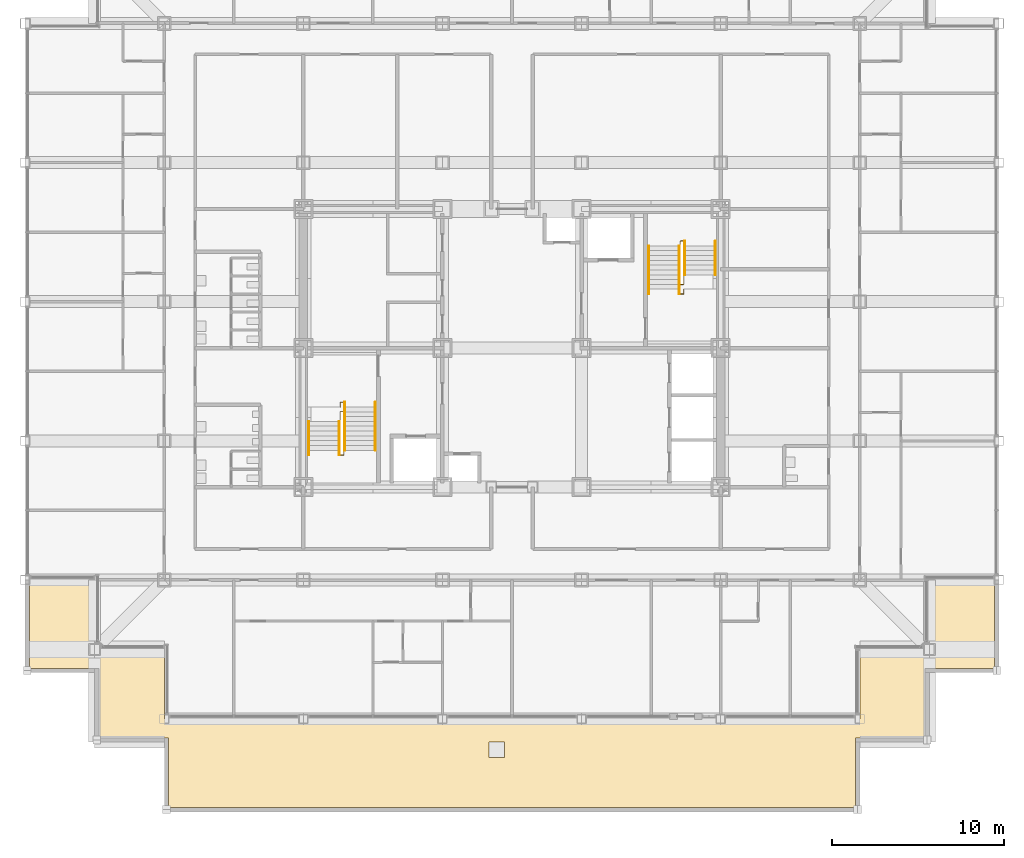
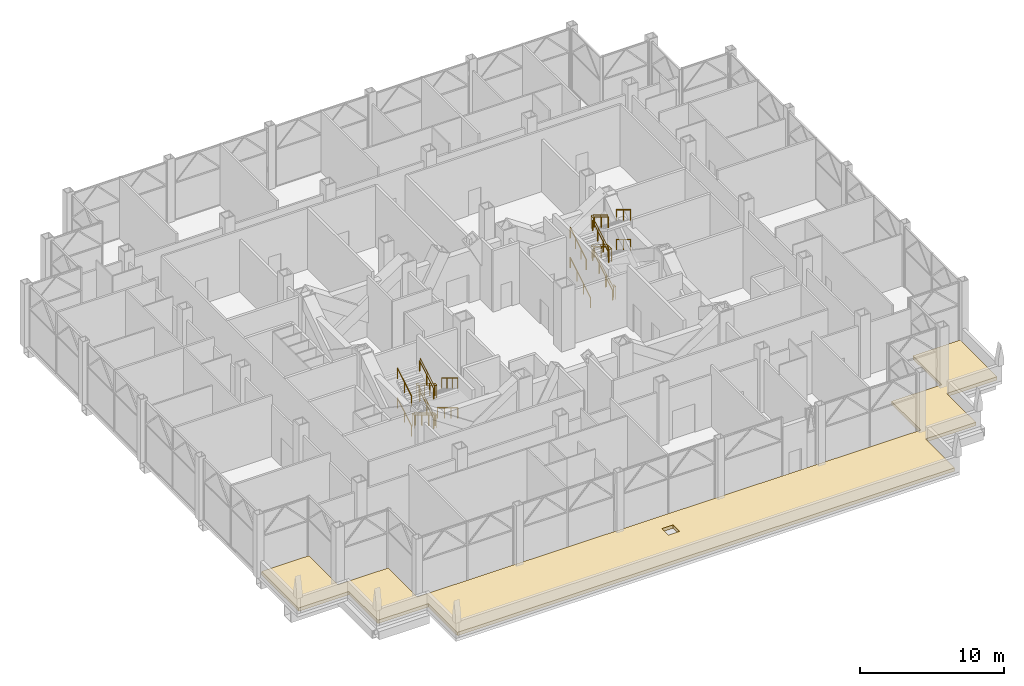
# One storey, part 28 of 29: 18 railings, 1 covering.
"""IFC4 building model written with IfcOpenShell, lengths in metres."""

from ifc_helpers import new_model, si_unit, direction, frame, origin, origin_2d, place, context, subcontext, project, spatial, polyline, circle, outline, extrude, material, layer, layer_set, type_object, element, save


model = new_model("IFC4")

# Units and contexts
model_context = context("Model", 3, precision=1e-05, world=origin(), true_north=direction((0.0, 1.0)))
body_context = subcontext(model_context, "Body", "Model", "MODEL_VIEW")
ifc_project = project(units=[si_unit("LENGTHUNIT", "METRE"), si_unit("AREAUNIT", "SQUARE_METRE"), si_unit("VOLUMEUNIT", "CUBIC_METRE"), si_unit("PLANEANGLEUNIT", "RADIAN"), si_unit("MASSUNIT", "GRAM", prefix="KILO")], contexts=[model_context])

# Site, building, storey
site_placement = place(None, origin())
site = spatial("IfcSite", under=ifc_project, at=site_placement, CompositionType="ELEMENT")
building_placement = place(site_placement, origin())
building = spatial("IfcBuilding", under=site, at=building_placement, Name="Kopane Lantern Tower", CompositionType="ELEMENT")
storey_placement = place(building_placement, frame((0.0, 0.0, 165.0)))
storey = spatial("IfcBuildingStorey", under=building, at=storey_placement, Name="L42", CompositionType="ELEMENT", Elevation=165.0)

# Covering
ifc_material_1 = material(Name="Bitumen membrane and extruded polystyrene insulation", Category="bitumen")
ifc_layer = layer(ifc_material_1, 0.280029296875)
ifc_layer_set = layer_set([ifc_layer], Name="ROOF FINISH RF1 INVERTED 280")
covering_type = type_object("IfcCoveringType", Name="ROOF FINISH RF1 INVERTED 280", PredefinedType="ROOFING", material=ifc_layer_set)
covering_placement = place(storey_placement, origin())
element("IfcCovering", 1, at=covering_placement, inside=storey, type_object=covering_type, Name="Roof finish L42", PredefinedType="ROOFING", context=body_context, shape_type="SweptSolid", body=[
    extrude(outline(polyline([(4.050048828125, 18.89990234375), (0.25, 18.89990234375), (0.25, 13.75), (4.300048828125, 13.75), (4.300048828125, 9.699951171875), (8.35009765625, 9.699951171875), (8.35009765625, 5.64990234375), (48.35009765625, 5.64990234375), (48.35009765625, 9.699951171875), (52.39990234375, 9.699951171875), (52.39990234375, 13.75), (56.449951171875, 13.75), (56.449951171875, 18.89990234375), (52.64990234375, 18.89990234375), (52.64990234375, 14.85009765625), (48.60009765625, 14.85009765625), (48.60009765625, 10.800048828125), (8.10009765625, 10.800048828125), (8.10009765625, 14.85009765625), (4.050048828125, 14.85009765625), (4.050048828125, 18.89990234375)]), holes=[polyline([(27.89990234375, 9.449951171875), (27.89990234375, 8.550048828125), (27.0, 8.550048828125), (27.0, 9.449951171875), (27.89990234375, 9.449951171875)])]), origin(), (0.0, 0.0, 1.0), 0.280029296875),
])

# Railings
ifc_material_2 = material(Name="Steel", Category="steel")
railing_type_1 = type_object("IfcRailingType", Name="STAIR GUARD 1100", PredefinedType="GUARDRAIL", material=ifc_material_2)
railing_1_placement = place(storey_placement, frame((18.35009765625, 28.969970703125, 0.0)))
element("IfcRailing", 2, at=railing_1_placement, inside=storey, type_object=railing_type_1, Name="ST1 well guard L42", PredefinedType="GUARDRAIL", context=body_context, shape_type="SweptSolid", body=[
    extrude(circle(Radius=0.02392578125, at=origin_2d()), frame((0.0, 0.0, 1.076171875), z_axis=(0.0, 1.0, 0.0), x_axis=(-1.0, 0.0, 0.0)), (0.0, 0.0, 1.0), 0.280029296875),
    extrude(circle(Radius=0.02392578125, at=origin_2d()), frame((0.0, 0.280029296875, 1.076171875), z_axis=(1.0, 0.0, 0.0), x_axis=(0.0, 1.0, 0.0)), (0.0, 0.0, 1.0), 0.199951171875),
    extrude(circle(Radius=0.02392578125, at=origin_2d()), frame((0.199951171875, 0.280029296875, 1.076171875), z_axis=(0.0, -0.856483125134, 0.51617502493), x_axis=(1.0, 0.0, 0.0)), (0.0, 0.0, 1.0), 3.269287109375),
    extrude(circle(Radius=0.02392578125, at=origin_2d()), frame((0.199951171875, -2.52001953125, 2.763671875), z_axis=(0.0, -1.0, 0.0), x_axis=(1.0, 0.0, 0.0)), (0.0, 0.0, 1.0), 0.280029296875),
    extrude(circle(Radius=0.02392578125, at=origin_2d()), frame((0.199951171875, -2.800048828125, 2.763671875), z_axis=(-1.0, 0.0, 0.0), x_axis=(0.0, -1.0, 0.0)), (0.0, 0.0, 1.0), 0.199951171875),
    extrude(circle(Radius=0.02392578125, at=origin_2d()), frame((0.0, -2.800048828125, 2.763671875), z_axis=(0.0, 0.856446297458, 0.516236127728), x_axis=(-1.0, 0.0, 0.0)), (0.0, 0.0, 1.0), 2.28857421875),
    extrude(circle(Radius=0.02392578125, at=origin_2d()), frame((0.0, -0.840087890625, 3.94482421875), z_axis=(0.0, 1.0, 0.0), x_axis=(-1.0, 0.0, 0.0)), (0.0, 0.0, 1.0), 0.56005859375),
    extrude(circle(Radius=0.02392578125, at=origin_2d()), frame((0.0, -0.280029296875, 3.94482421875), z_axis=(1.0, 0.0, 0.0), x_axis=(0.0, 1.0, 0.0)), (0.0, 0.0, 1.0), 0.199951171875),
    extrude(circle(Radius=0.02392578125, at=origin_2d()), frame((0.199951171875, -0.280029296875, 3.94482421875), z_axis=(0.0, -0.856502912269, 0.516142190947), x_axis=(1.0, 0.0, 0.0)), (0.0, 0.0, 1.0), 2.615234375),
    extrude(circle(Radius=0.02392578125, at=origin_2d()), frame((0.199951171875, -2.52001953125, 5.294921875), z_axis=(0.0, -1.0, 0.0), x_axis=(1.0, 0.0, 0.0)), (0.0, 0.0, 1.0), 0.280029296875),
    extrude(circle(Radius=0.02392578125, at=origin_2d()), frame((0.199951171875, -2.800048828125, 5.294921875), z_axis=(-1.0, 0.0, 0.0), x_axis=(0.0, -1.0, 0.0)), (0.0, 0.0, 1.0), 0.199951171875),
    extrude(circle(Radius=0.02392578125, at=origin_2d()), frame((0.0, -2.800048828125, 5.294921875), z_axis=(0.0, 0.856493463811, 0.516157869696), x_axis=(-1.0, 0.0, 0.0)), (0.0, 0.0, 1.0), 2.288330078125),
    extrude(circle(Radius=0.02099609375, at=origin_2d()), origin(), (0.0, 0.0, 1.0), 1.052001953125),
    extrude(circle(Radius=0.02099609375, at=origin_2d()), frame((0.0, 0.280029296875, 0.0)), (0.0, 0.0, 1.0), 1.052001953125),
    extrude(circle(Radius=0.02099609375, at=origin_2d()), frame((0.199951171875, 0.280029296875, 0.0)), (0.0, 0.0, 1.0), 1.052001953125),
    extrude(circle(Radius=0.02099609375, at=origin_2d()), frame((0.199951171875, -0.6533203125, 0.5625)), (0.0, 0.0, 1.0), 1.052001953125),
    extrude(circle(Radius=0.02099609375, at=origin_2d()), frame((0.199951171875, -1.586669921875, 1.125)), (0.0, 0.0, 1.0), 1.052001953125),
    extrude(circle(Radius=0.02099609375, at=origin_2d()), frame((0.199951171875, -2.52001953125, 1.6875)), (0.0, 0.0, 1.0), 1.052001953125),
    extrude(circle(Radius=0.02099609375, at=origin_2d()), frame((0.199951171875, -2.800048828125, 1.6875)), (0.0, 0.0, 1.0), 1.052001953125),
    extrude(circle(Radius=0.02099609375, at=origin_2d()), frame((0.0, -2.800048828125, 1.6875)), (0.0, 0.0, 1.0), 1.052001953125),
    extrude(circle(Radius=0.02099609375, at=origin_2d()), frame((0.0, -1.820068359375, 2.2783203125)), (0.0, 0.0, 1.0), 1.052001953125),
    extrude(circle(Radius=0.02099609375, at=origin_2d()), frame((0.0, -0.840087890625, 2.868896484375)), (0.0, 0.0, 1.0), 1.052001953125),
    extrude(circle(Radius=0.02099609375, at=origin_2d()), frame((0.0, -0.280029296875, 2.868896484375)), (0.0, 0.0, 1.0), 1.052001953125),
    extrude(circle(Radius=0.02099609375, at=origin_2d()), frame((0.199951171875, -0.280029296875, 2.868896484375)), (0.0, 0.0, 1.0), 1.052001953125),
    extrude(circle(Radius=0.02099609375, at=origin_2d()), frame((0.199951171875, -1.026611328125, 3.31884765625)), (0.0, 0.0, 1.0), 1.052001953125),
    extrude(circle(Radius=0.02099609375, at=origin_2d()), frame((0.199951171875, -1.7734375, 3.768798828125)), (0.0, 0.0, 1.0), 1.052001953125),
    extrude(circle(Radius=0.02099609375, at=origin_2d()), frame((0.199951171875, -2.52001953125, 4.21875)), (0.0, 0.0, 1.0), 1.052001953125),
    extrude(circle(Radius=0.02099609375, at=origin_2d()), frame((0.199951171875, -2.800048828125, 4.21875)), (0.0, 0.0, 1.0), 1.052001953125),
    extrude(circle(Radius=0.02099609375, at=origin_2d()), frame((0.0, -2.800048828125, 4.21875)), (0.0, 0.0, 1.0), 1.052001953125),
    extrude(circle(Radius=0.02099609375, at=origin_2d()), frame((0.0, -1.820068359375, 4.809326171875)), (0.0, 0.0, 1.0), 1.052001953125),
    extrude(circle(Radius=0.02099609375, at=origin_2d()), frame((0.0, -0.840087890625, 5.39990234375)), (0.0, 0.0, 1.0), 1.052001953125),
])
railing_2_placement = place(storey_placement, frame((38.35009765625, 35.830078125, 0.0)))
element("IfcRailing", 3, at=railing_2_placement, inside=storey, type_object=railing_type_1, Name="ST2 well guard L42", PredefinedType="GUARDRAIL", context=body_context, shape_type="SweptSolid", body=[
    extrude(circle(Radius=0.02392578125, at=origin_2d()), frame((0.0, 0.0, 1.076171875), z_axis=(0.0, -1.0, 0.0), x_axis=(1.0, 0.0, 0.0)), (0.0, 0.0, 1.0), 0.280029296875),
    extrude(circle(Radius=0.02392578125, at=origin_2d()), frame((0.0, -0.280029296875, 1.076171875), z_axis=(-1.0, 0.0, 0.0), x_axis=(0.0, -1.0, 0.0)), (0.0, 0.0, 1.0), 0.2001953125),
    extrude(circle(Radius=0.02392578125, at=origin_2d()), frame((-0.2001953125, -0.280029296875, 1.076171875), z_axis=(0.0, 0.856483125134, 0.51617502493), x_axis=(-1.0, 0.0, 0.0)), (0.0, 0.0, 1.0), 3.269287109375),
    extrude(circle(Radius=0.02392578125, at=origin_2d()), frame((-0.2001953125, 2.52001953125, 2.763671875), z_axis=(0.0, 1.0, 0.0), x_axis=(-1.0, 0.0, 0.0)), (0.0, 0.0, 1.0), 0.27978515625),
    extrude(circle(Radius=0.02392578125, at=origin_2d()), frame((-0.2001953125, 2.7998046875, 2.763671875), z_axis=(1.0, 0.0, 0.0), x_axis=(0.0, 1.0, 0.0)), (0.0, 0.0, 1.0), 0.2001953125),
    extrude(circle(Radius=0.02392578125, at=origin_2d()), frame((0.0, 2.7998046875, 2.763671875), z_axis=(0.0, -0.856446297458, 0.516236127728), x_axis=(1.0, 0.0, 0.0)), (0.0, 0.0, 1.0), 2.28857421875),
    extrude(circle(Radius=0.02392578125, at=origin_2d()), frame((0.0, 0.83984375, 3.94482421875), z_axis=(0.0, -1.0, 0.0), x_axis=(1.0, 0.0, 0.0)), (0.0, 0.0, 1.0), 0.559814453125),
    extrude(circle(Radius=0.02392578125, at=origin_2d()), frame((0.0, 0.280029296875, 3.94482421875), z_axis=(-1.0, 0.0, 0.0), x_axis=(0.0, -1.0, 0.0)), (0.0, 0.0, 1.0), 0.2001953125),
    extrude(circle(Radius=0.02392578125, at=origin_2d()), frame((-0.2001953125, 0.280029296875, 3.94482421875), z_axis=(0.0, 0.856502912269, 0.516142190947), x_axis=(-1.0, 0.0, 0.0)), (0.0, 0.0, 1.0), 2.615234375),
    extrude(circle(Radius=0.02392578125, at=origin_2d()), frame((-0.2001953125, 2.52001953125, 5.294921875), z_axis=(0.0, 1.0, 0.0), x_axis=(-1.0, 0.0, 0.0)), (0.0, 0.0, 1.0), 0.27978515625),
    extrude(circle(Radius=0.02392578125, at=origin_2d()), frame((-0.2001953125, 2.7998046875, 5.294921875), z_axis=(1.0, 0.0, 0.0), x_axis=(0.0, 1.0, 0.0)), (0.0, 0.0, 1.0), 0.2001953125),
    extrude(circle(Radius=0.02392578125, at=origin_2d()), frame((0.0, 2.7998046875, 5.294921875), z_axis=(0.0, -0.856493463811, 0.516157869696), x_axis=(1.0, 0.0, 0.0)), (0.0, 0.0, 1.0), 2.288330078125),
    extrude(circle(Radius=0.02099609375, at=origin_2d()), origin(), (0.0, 0.0, 1.0), 1.052001953125),
    extrude(circle(Radius=0.02099609375, at=origin_2d()), frame((0.0, -0.280029296875, 0.0)), (0.0, 0.0, 1.0), 1.052001953125),
    extrude(circle(Radius=0.02099609375, at=origin_2d()), frame((-0.2001953125, -0.280029296875, 0.0)), (0.0, 0.0, 1.0), 1.052001953125),
    extrude(circle(Radius=0.02099609375, at=origin_2d()), frame((-0.2001953125, 0.6533203125, 0.5625)), (0.0, 0.0, 1.0), 1.052001953125),
    extrude(circle(Radius=0.02099609375, at=origin_2d()), frame((-0.2001953125, 1.586669921875, 1.125)), (0.0, 0.0, 1.0), 1.052001953125),
    extrude(circle(Radius=0.02099609375, at=origin_2d()), frame((-0.2001953125, 2.52001953125, 1.6875)), (0.0, 0.0, 1.0), 1.052001953125),
    extrude(circle(Radius=0.02099609375, at=origin_2d()), frame((-0.2001953125, 2.7998046875, 1.6875)), (0.0, 0.0, 1.0), 1.052001953125),
    extrude(circle(Radius=0.02099609375, at=origin_2d()), frame((0.0, 2.7998046875, 1.6875)), (0.0, 0.0, 1.0), 1.052001953125),
    extrude(circle(Radius=0.02099609375, at=origin_2d()), frame((0.0, 1.81982421875, 2.2783203125)), (0.0, 0.0, 1.0), 1.052001953125),
    extrude(circle(Radius=0.02099609375, at=origin_2d()), frame((0.0, 0.83984375, 2.868896484375)), (0.0, 0.0, 1.0), 1.052001953125),
    extrude(circle(Radius=0.02099609375, at=origin_2d()), frame((0.0, 0.280029296875, 2.868896484375)), (0.0, 0.0, 1.0), 1.052001953125),
    extrude(circle(Radius=0.02099609375, at=origin_2d()), frame((-0.2001953125, 0.280029296875, 2.868896484375)), (0.0, 0.0, 1.0), 1.052001953125),
    extrude(circle(Radius=0.02099609375, at=origin_2d()), frame((-0.2001953125, 1.026611328125, 3.31884765625)), (0.0, 0.0, 1.0), 1.052001953125),
    extrude(circle(Radius=0.02099609375, at=origin_2d()), frame((-0.2001953125, 1.7734375, 3.768798828125)), (0.0, 0.0, 1.0), 1.052001953125),
    extrude(circle(Radius=0.02099609375, at=origin_2d()), frame((-0.2001953125, 2.52001953125, 4.21875)), (0.0, 0.0, 1.0), 1.052001953125),
    extrude(circle(Radius=0.02099609375, at=origin_2d()), frame((-0.2001953125, 2.7998046875, 4.21875)), (0.0, 0.0, 1.0), 1.052001953125),
    extrude(circle(Radius=0.02099609375, at=origin_2d()), frame((0.0, 2.7998046875, 4.21875)), (0.0, 0.0, 1.0), 1.052001953125),
    extrude(circle(Radius=0.02099609375, at=origin_2d()), frame((0.0, 1.81982421875, 4.809326171875)), (0.0, 0.0, 1.0), 1.052001953125),
    extrude(circle(Radius=0.02099609375, at=origin_2d()), frame((0.0, 0.83984375, 5.39990234375)), (0.0, 0.0, 1.0), 1.052001953125),
])
ifc_material_3 = material(Name="Steel", Category="steel")
railing_type_2 = type_object("IfcRailingType", Name="STAIR HANDRAIL 900", PredefinedType="HANDRAIL", material=ifc_material_3)
for number, where, name in (
    (4, (20.389892578125, 29.25, 0.0), "ST1 handrail L42 flight 1"),
    (5, (18.610107421875, 29.25, 0.0), "ST1 handrail L42 flight 1"),
):
    element("IfcRailing", number, at=place(storey_placement, frame(where)), inside=storey, type_object=railing_type_2, Name=name, PredefinedType="HANDRAIL", context=body_context, shape_type="SweptSolid", body=[
        extrude(circle(Radius=0.02392578125, at=origin_2d()), frame((0.0, 0.0, 0.8759765625), z_axis=(0.0, -0.856483125134, 0.51617502493), x_axis=(1.0, 0.0, 0.0)), (0.0, 0.0, 1.0), 3.269287109375),
        extrude(circle(Radius=0.02099609375, at=origin_2d()), origin(), (0.0, 0.0, 1.0), 0.851806640625),
        extrude(circle(Radius=0.02099609375, at=origin_2d()), frame((0.0, -0.933349609375, 0.5625)), (0.0, 0.0, 1.0), 0.851806640625),
        extrude(circle(Radius=0.02099609375, at=origin_2d()), frame((0.0, -1.86669921875, 1.125)), (0.0, 0.0, 1.0), 0.851806640625),
        extrude(circle(Radius=0.02099609375, at=origin_2d()), frame((0.0, -2.800048828125, 1.6875)), (0.0, 0.0, 1.0), 0.851806640625),
    ])
for number, where, name in (
    (6, (16.510009765625, 26.169921875, 1.6875), "ST1 handrail L42 flight 2"),
    (7, (18.2900390625, 26.169921875, 1.6875), "ST1 handrail L42 flight 2"),
):
    element("IfcRailing", number, at=place(storey_placement, frame(where)), inside=storey, type_object=railing_type_2, Name=name, PredefinedType="HANDRAIL", context=body_context, shape_type="SweptSolid", body=[
        extrude(circle(Radius=0.02392578125, at=origin_2d()), frame((0.0, 0.0, 0.8759765625), z_axis=(0.0, 0.856446297458, 0.516236127728), x_axis=(-1.0, 0.0, 0.0)), (0.0, 0.0, 1.0), 2.28857421875),
        extrude(circle(Radius=0.02099609375, at=origin_2d()), origin(), (0.0, 0.0, 1.0), 0.851806640625),
        extrude(circle(Radius=0.02099609375, at=origin_2d()), frame((0.0, 0.97998046875, 0.5908203125)), (0.0, 0.0, 1.0), 0.851806640625),
        extrude(circle(Radius=0.02099609375, at=origin_2d()), frame((0.0, 1.9599609375, 1.181396484375)), (0.0, 0.0, 1.0), 0.851806640625),
    ])
for number, where, name in (
    (8, (20.389892578125, 28.68994140625, 2.868896484375), "ST1 handrail L42 flight 3"),
    (9, (18.610107421875, 28.68994140625, 2.868896484375), "ST1 handrail L42 flight 3"),
):
    element("IfcRailing", number, at=place(storey_placement, frame(where)), inside=storey, type_object=railing_type_2, Name=name, PredefinedType="HANDRAIL", context=body_context, shape_type="SweptSolid", body=[
        extrude(circle(Radius=0.02392578125, at=origin_2d()), frame((0.0, 0.0, 0.8759765625), z_axis=(0.0, -0.856502912269, 0.516142190947), x_axis=(1.0, 0.0, 0.0)), (0.0, 0.0, 1.0), 2.615234375),
        extrude(circle(Radius=0.02099609375, at=origin_2d()), origin(), (0.0, 0.0, 1.0), 0.851806640625),
        extrude(circle(Radius=0.02099609375, at=origin_2d()), frame((0.0, -0.74658203125, 0.449951171875)), (0.0, 0.0, 1.0), 0.851806640625),
        extrude(circle(Radius=0.02099609375, at=origin_2d()), frame((0.0, -1.493408203125, 0.89990234375)), (0.0, 0.0, 1.0), 0.851806640625),
        extrude(circle(Radius=0.02099609375, at=origin_2d()), frame((0.0, -2.239990234375, 1.349853515625)), (0.0, 0.0, 1.0), 0.851806640625),
    ])
for number, where, name in (
    (10, (16.510009765625, 26.169921875, 4.21875), "ST1 handrail L42 flight 4"),
    (11, (18.2900390625, 26.169921875, 4.21875), "ST1 handrail L42 flight 4"),
):
    element("IfcRailing", number, at=place(storey_placement, frame(where)), inside=storey, type_object=railing_type_2, Name=name, PredefinedType="HANDRAIL", context=body_context, shape_type="SweptSolid", body=[
        extrude(circle(Radius=0.02392578125, at=origin_2d()), frame((0.0, 0.0, 0.8759765625), z_axis=(0.0, 0.856493463811, 0.516157869696), x_axis=(-1.0, 0.0, 0.0)), (0.0, 0.0, 1.0), 2.288330078125),
        extrude(circle(Radius=0.02099609375, at=origin_2d()), origin(), (0.0, 0.0, 1.0), 0.851806640625),
        extrude(circle(Radius=0.02099609375, at=origin_2d()), frame((0.0, 0.97998046875, 0.590576171875)), (0.0, 0.0, 1.0), 0.851806640625),
        extrude(circle(Radius=0.02099609375, at=origin_2d()), frame((0.0, 1.9599609375, 1.18115234375)), (0.0, 0.0, 1.0), 0.851806640625),
    ])
for number, where, name in (
    (12, (36.31005859375, 35.550048828125, 0.0), "ST2 handrail L42 flight 1"),
    (13, (38.090087890625, 35.550048828125, 0.0), "ST2 handrail L42 flight 1"),
):
    element("IfcRailing", number, at=place(storey_placement, frame(where)), inside=storey, type_object=railing_type_2, Name=name, PredefinedType="HANDRAIL", context=body_context, shape_type="SweptSolid", body=[
        extrude(circle(Radius=0.02392578125, at=origin_2d()), frame((0.0, 0.0, 0.8759765625), z_axis=(0.0, 0.856483125134, 0.51617502493), x_axis=(-1.0, 0.0, 0.0)), (0.0, 0.0, 1.0), 3.269287109375),
        extrude(circle(Radius=0.02099609375, at=origin_2d()), origin(), (0.0, 0.0, 1.0), 0.851806640625),
        extrude(circle(Radius=0.02099609375, at=origin_2d()), frame((0.0, 0.933349609375, 0.5625)), (0.0, 0.0, 1.0), 0.851806640625),
        extrude(circle(Radius=0.02099609375, at=origin_2d()), frame((0.0, 1.86669921875, 1.125)), (0.0, 0.0, 1.0), 0.851806640625),
        extrude(circle(Radius=0.02099609375, at=origin_2d()), frame((0.0, 2.800048828125, 1.6875)), (0.0, 0.0, 1.0), 0.851806640625),
    ])
for number, where, name in (
    (14, (40.18994140625, 38.6298828125, 1.6875), "ST2 handrail L42 flight 2"),
    (15, (38.409912109375, 38.6298828125, 1.6875), "ST2 handrail L42 flight 2"),
):
    element("IfcRailing", number, at=place(storey_placement, frame(where)), inside=storey, type_object=railing_type_2, Name=name, PredefinedType="HANDRAIL", context=body_context, shape_type="SweptSolid", body=[
        extrude(circle(Radius=0.02392578125, at=origin_2d()), frame((0.0, 0.0, 0.8759765625), z_axis=(0.0, -0.856446297458, 0.516236127728), x_axis=(1.0, 0.0, 0.0)), (0.0, 0.0, 1.0), 2.28857421875),
        extrude(circle(Radius=0.02099609375, at=origin_2d()), origin(), (0.0, 0.0, 1.0), 0.851806640625),
        extrude(circle(Radius=0.02099609375, at=origin_2d()), frame((0.0, -0.97998046875, 0.5908203125)), (0.0, 0.0, 1.0), 0.851806640625),
        extrude(circle(Radius=0.02099609375, at=origin_2d()), frame((0.0, -1.9599609375, 1.181396484375)), (0.0, 0.0, 1.0), 0.851806640625),
    ])
for number, where, name in (
    (16, (36.31005859375, 36.110107421875, 2.868896484375), "ST2 handrail L42 flight 3"),
    (17, (38.090087890625, 36.110107421875, 2.868896484375), "ST2 handrail L42 flight 3"),
):
    element("IfcRailing", number, at=place(storey_placement, frame(where)), inside=storey, type_object=railing_type_2, Name=name, PredefinedType="HANDRAIL", context=body_context, shape_type="SweptSolid", body=[
        extrude(circle(Radius=0.02392578125, at=origin_2d()), frame((0.0, 0.0, 0.8759765625), z_axis=(0.0, 0.856502912269, 0.516142190947), x_axis=(-1.0, 0.0, 0.0)), (0.0, 0.0, 1.0), 2.615234375),
        extrude(circle(Radius=0.02099609375, at=origin_2d()), origin(), (0.0, 0.0, 1.0), 0.851806640625),
        extrude(circle(Radius=0.02099609375, at=origin_2d()), frame((0.0, 0.74658203125, 0.449951171875)), (0.0, 0.0, 1.0), 0.851806640625),
        extrude(circle(Radius=0.02099609375, at=origin_2d()), frame((0.0, 1.493408203125, 0.89990234375)), (0.0, 0.0, 1.0), 0.851806640625),
        extrude(circle(Radius=0.02099609375, at=origin_2d()), frame((0.0, 2.239990234375, 1.349853515625)), (0.0, 0.0, 1.0), 0.851806640625),
    ])
for number, where, name in (
    (18, (40.18994140625, 38.6298828125, 4.21875), "ST2 handrail L42 flight 4"),
    (19, (38.409912109375, 38.6298828125, 4.21875), "ST2 handrail L42 flight 4"),
):
    element("IfcRailing", number, at=place(storey_placement, frame(where)), inside=storey, type_object=railing_type_2, Name=name, PredefinedType="HANDRAIL", context=body_context, shape_type="SweptSolid", body=[
        extrude(circle(Radius=0.02392578125, at=origin_2d()), frame((0.0, 0.0, 0.8759765625), z_axis=(0.0, -0.856493463811, 0.516157869696), x_axis=(1.0, 0.0, 0.0)), (0.0, 0.0, 1.0), 2.288330078125),
        extrude(circle(Radius=0.02099609375, at=origin_2d()), origin(), (0.0, 0.0, 1.0), 0.851806640625),
        extrude(circle(Radius=0.02099609375, at=origin_2d()), frame((0.0, -0.97998046875, 0.590576171875)), (0.0, 0.0, 1.0), 0.851806640625),
        extrude(circle(Radius=0.02099609375, at=origin_2d()), frame((0.0, -1.9599609375, 1.18115234375)), (0.0, 0.0, 1.0), 0.851806640625),
    ])

save(model, "model.ifc")
